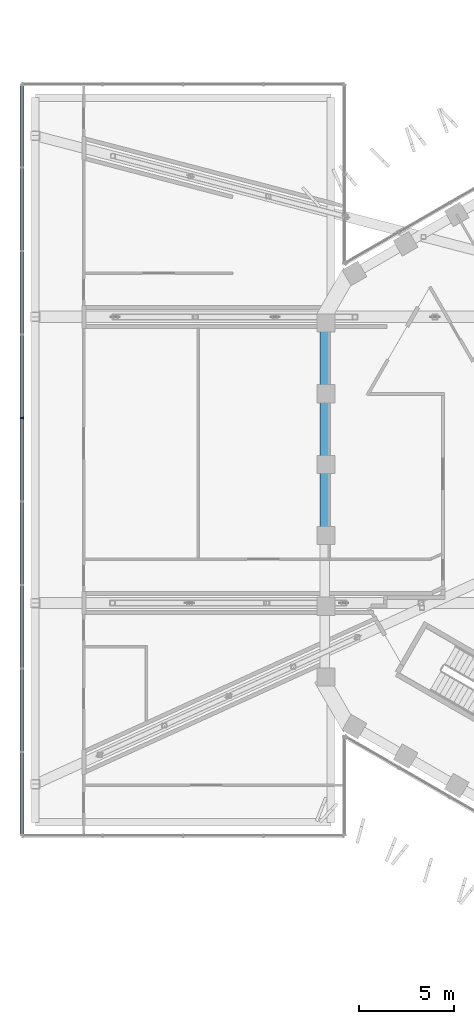
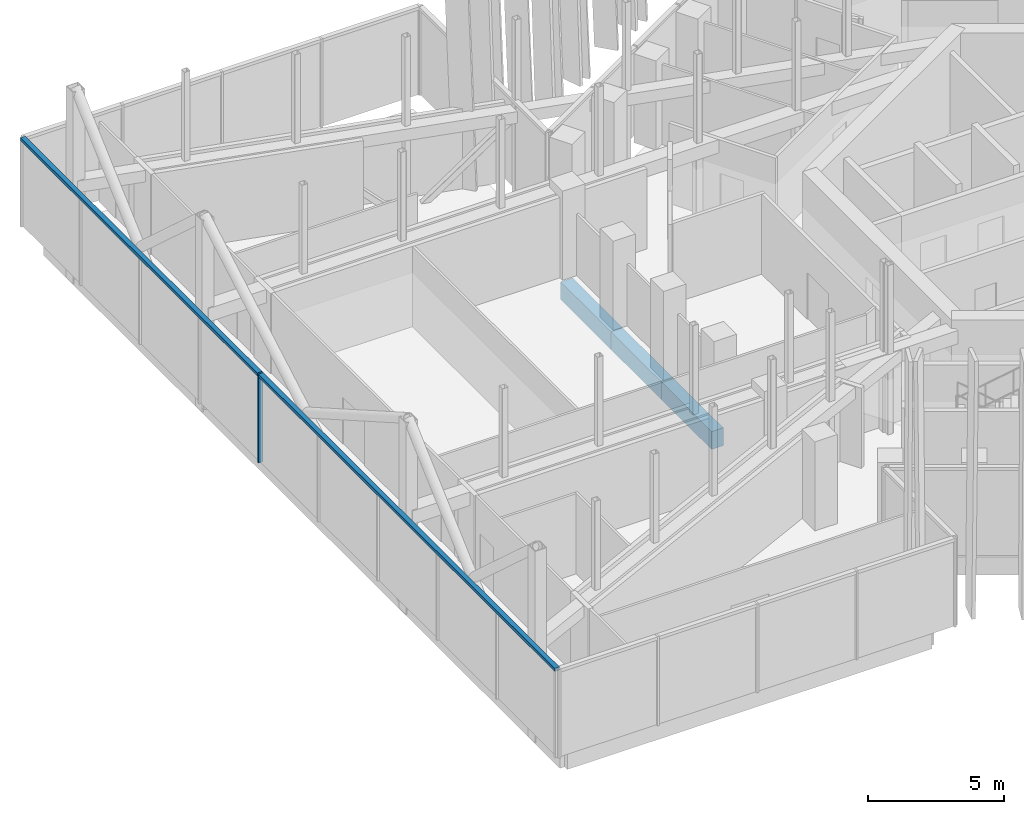
# One storey, part 5 of 28: 3 beams, 2 members, 1 element without a shape of its own.
"""IFC4 building model written with IfcOpenShell, lengths in metres."""

from ifc_helpers import new_model, si_unit, direction, frame, origin, origin_2d, place, context, subcontext, project, spatial, rectangle, extrude, material, layer, layer_set, material_profile, profile_set, type_object, element, aggregate, save


model = new_model("IFC4")

# Units and contexts
model_context = context("Model", 3, precision=1e-05, world=origin(), true_north=direction((0.0, 1.0)))
body_context = subcontext(model_context, "Body", "Model", "MODEL_VIEW")
ifc_project = project(units=[si_unit("LENGTHUNIT", "METRE"), si_unit("AREAUNIT", "SQUARE_METRE"), si_unit("VOLUMEUNIT", "CUBIC_METRE"), si_unit("PLANEANGLEUNIT", "RADIAN"), si_unit("MASSUNIT", "GRAM", prefix="KILO")], contexts=[model_context])

# Site, building, storey
site_placement = place(None, origin())
site = spatial("IfcSite", under=ifc_project, at=site_placement, CompositionType="ELEMENT")
building_placement = place(site_placement, origin())
building = spatial("IfcBuilding", under=site, at=building_placement, Name="Ayvan Gate Tower", CompositionType="ELEMENT")
storey_placement = place(building_placement, frame((0.0, 0.0, 202.10009765625)))
storey = spatial("IfcBuildingStorey", under=building, at=storey_placement, Name="L54", CompositionType="ELEMENT", Elevation=202.10009765625)

# Beams
ifc_material_1 = material(Name="Concrete C40/50", Category="concrete")
ifc_material_profile_1 = material_profile(ifc_material_1, rectangle(XDim=0.5, YDim=0.800048828125, at=origin_2d()), Name="RC 500x800")
ifc_profile_set_1 = profile_set([ifc_material_profile_1], Name="Concrete C40/50")
beam_type = type_object("IfcBeamType", Name="Spandrel beam RC 500x800 C40/50", PredefinedType="BEAM", material=ifc_profile_set_1)
for number, where, z_axis, x_axis, name in (
    (1, (-17.338134765625, 9.2578125, -0.800048828125), (0.0, -1.0, 0.0), (1.0, 0.0, 0.0), "SB-L54-19"),
    (2, (-17.338134765625, 5.5546875, -0.800048828125), (0.0, -1.0, 0.0), (1.0, 0.0, 0.0), "SB-L54-20"),
    (3, (-17.338134765625, 1.8515625, -0.800048828125), (0.0, -1.0, 0.0), (1.0, 0.0, 0.0), "SB-L54-21"),
):
    element("IfcBeam", number, at=place(storey_placement, frame(where, z_axis=z_axis, x_axis=x_axis)), inside=storey, type_object=beam_type, Name=name, PredefinedType="BEAM", context=body_context, shape_type="SweptSolid", body=[
        extrude(rectangle(XDim=0.5, YDim=0.800048828125, at=origin_2d()), origin(), (0.0, 0.0, 1.0), 3.703125),
    ])

# Curtain wall, members
ifc_material_2 = material(Name="Bronze anodised aluminium", Category="aluminium")
ifc_layer = layer(ifc_material_2, 0.199951171875)
ifc_layer_set = layer_set([ifc_layer], Name="Bronze anodised aluminium")
curtain_wall_type = type_object("IfcCurtainWallType", Name="Stick curtain wall CW-4", PredefinedType="NOTDEFINED", material=ifc_layer_set)
curtain_wall_placement = place(storey_placement, origin())
curtain_wall = element("IfcCurtainWall", 4, at=curtain_wall_placement, inside=storey, type_object=curtain_wall_type, Name="Stick curtain wall CW-4 L54", PredefinedType="NOTDEFINED")
ifc_material_profile_2 = material_profile(ifc_material_2, rectangle(XDim=0.199951171875, YDim=0.080078125, at=origin_2d()), Name="Stick curtain wall CW-4 mullion 200 x 80")
ifc_profile_set_2 = profile_set([ifc_material_profile_2], Name="Bronze anodised aluminium")
member_type_1 = type_object("IfcMemberType", Name="Stick curtain wall CW-4 mullion 200 x 80", PredefinedType="MULLION", material=ifc_profile_set_2)
member_1_placement = place(storey_placement, frame((-33.224365234375, 4.288818359375, 0.0), z_axis=(0.0, 0.0, 1.0), x_axis=(-1.0, 0.0, 0.0)))
member_1 = element("IfcMember", 5, at=member_1_placement, type_object=member_type_1, Name="CW-4 mullion 5", PredefinedType="MULLION", context=body_context, shape_type="SweptSolid", body=[
    extrude(rectangle(XDim=0.199951171875, YDim=0.080078125, at=origin_2d()), origin(), (0.0, 0.0, 1.0), 4.0),
])
ifc_material_profile_3 = material_profile(ifc_material_2, rectangle(XDim=0.199951171875, YDim=0.139892578125, at=origin_2d()), Name="Stick curtain wall CW-4 transom 200 x 140")
ifc_profile_set_3 = profile_set([ifc_material_profile_3], Name="Bronze anodised aluminium")
member_type_2 = type_object("IfcMemberType", Name="Stick curtain wall CW-4 transom 200 x 140", PredefinedType="USERDEFINED", material=ifc_profile_set_3)
member_2_placement = place(storey_placement, frame((-33.224365234375, 21.760009765625, 3.929931640625), z_axis=(0.0, -1.0, 0.0), x_axis=(1.0, 0.0, 0.0)))
member_2 = element("IfcMember", 6, at=member_2_placement, type_object=member_type_2, Name="CW-4 transom 1", ObjectType="TRANSOM", PredefinedType="USERDEFINED", context=body_context, shape_type="SweptSolid", body=[
    extrude(rectangle(XDim=0.199951171875, YDim=0.139892578125, at=origin_2d()), origin(), (0.0, 0.0, 1.0), 39.320068359375),
])
aggregate(curtain_wall, [member_1, member_2])

save(model, "model.ifc")
